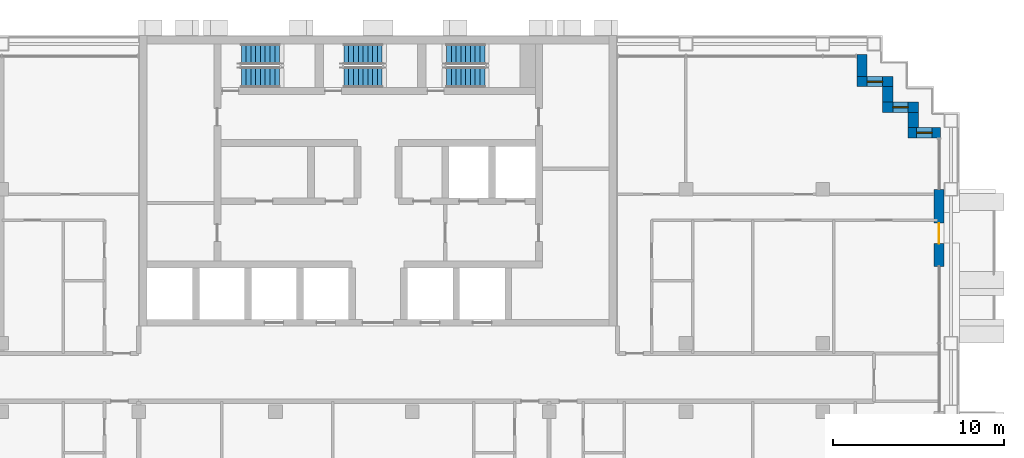
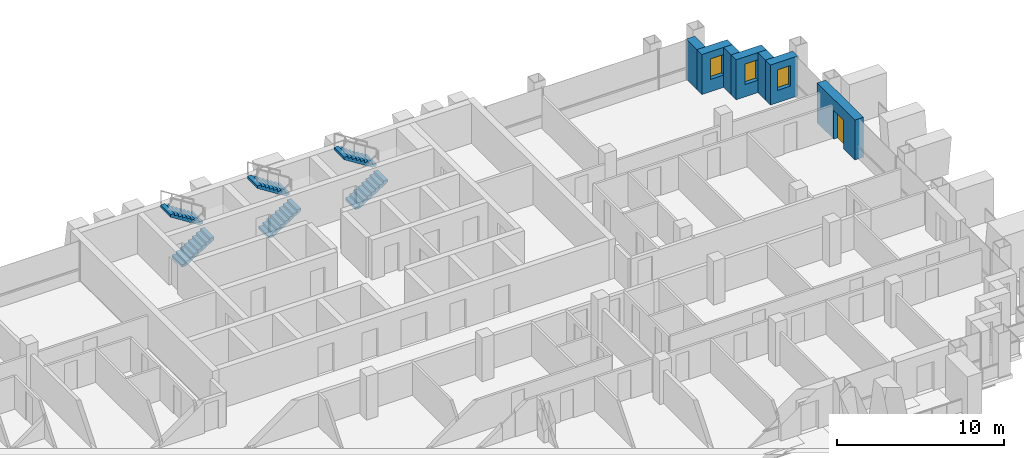
# One storey, part 12 of 18: 7 walls, 6 stair flights, 3 windows, 1 door, 4 openings, 3 elements without a shape of their own.
"""IFC4 building model written with IfcOpenShell, lengths in metres."""

from ifc_helpers import new_model, si_unit, direction, frame, frame_2d, origin, place, context, subcontext, project, spatial, polyline, rectangle, outline, extrude, material, layer, layer_set, type_object, element, fill, aggregate, save


model = new_model("IFC4")

# Units and contexts
model_context = context("Model", 3, precision=1e-05, world=origin(), true_north=direction((0.0, 1.0)))
body_context = subcontext(model_context, "Body", "Model", "MODEL_VIEW")
ifc_project = project(units=[si_unit("LENGTHUNIT", "METRE"), si_unit("AREAUNIT", "SQUARE_METRE"), si_unit("VOLUMEUNIT", "CUBIC_METRE"), si_unit("PLANEANGLEUNIT", "RADIAN"), si_unit("MASSUNIT", "GRAM", prefix="KILO")], contexts=[model_context])

# Site, building, storey
site_placement = place(None, origin())
site = spatial("IfcSite", under=ifc_project, at=site_placement, CompositionType="ELEMENT")
building_placement = place(site_placement, origin())
building = spatial("IfcBuilding", under=site, at=building_placement, Name="Vidyagriha Tower", CompositionType="ELEMENT")
storey_placement = place(building_placement, frame((0.0, 0.0, 142.199951171875)))
storey = spatial("IfcBuildingStorey", under=building, at=storey_placement, Name="L37", CompositionType="ELEMENT", Elevation=142.199951171875)

# Wall, opening, window
ifc_material_1 = material(Name="Precast concrete C40/50 with brick facing", Category="concrete")
ifc_layer = layer(ifc_material_1, 0.60009765625)
ifc_layer_set = layer_set([ifc_layer], Name="Precast concrete C40/50 with brick facing")
wall_type = type_object("IfcWallType", Name="Brick-faced precast wall 600", PredefinedType="STANDARD", material=ifc_layer_set)
wall_1_placement = place(storey_placement, frame((32.8798828125, 14.300048828125, 0.0), z_axis=(0.0, 0.0, 1.0), x_axis=(-1.0, 0.0, 0.0)))
wall_1 = element("IfcWall", 1, at=wall_1_placement, inside=storey, type_object=wall_type, Name="Stepped corner wall L37 R01", PredefinedType="STANDARD", context=body_context, shape_type="SweptSolid", body=[
    extrude(rectangle(XDim=1.8798828125, YDim=0.60009765625, at=frame_2d((0.93994140625, 0.0))), origin(), (0.0, 0.0, 1.0), 2.920166015625),
])
opening_1_placement = place(wall_1_placement, frame((0.489990234375, 0.0, 0.89990234375)))
opening_1 = element("IfcOpeningElement", 2, at=opening_1_placement, cuts=wall_1, Name="Opening WN1", PredefinedType="OPENING", context=body_context, shape_type="SweptSolid", body=[
    extrude(rectangle(XDim=0.89990234375, YDim=1.5, at=frame_2d((0.449951171875, 0.75))), frame((0.0, 0.31005859375, 0.0), z_axis=(0.0, -1.0, 0.0), x_axis=(1.0, 0.0, 0.0)), (0.0, 0.0, 1.0), 0.6201171875),
])
ifc_material_2 = material(Name="Aluminium and glass window", Category="aluminium")
window_type = type_object("IfcWindowType", Name="Reveal window 900x1500", PartitioningType="NOTDEFINED", PredefinedType="WINDOW", material=ifc_material_2)
window_1_placement = place(opening_1_placement, origin())
window_1 = element("IfcWindow", 3, at=window_1_placement, inside=storey, type_object=window_type, Name="Reveal window L37 R01", OverallHeight=1.5, OverallWidth=0.89990234375, PartitioningType="SINGLE_PANEL", PredefinedType="WINDOW", context=body_context, shape_type="SweptSolid", body=[
    extrude(rectangle(XDim=0.89990234375, YDim=1.5, at=frame_2d((0.449951171875, 0.75))), frame((0.0, 0.030029296875, 0.0), z_axis=(0.0, -1.0, 0.0), x_axis=(1.0, 0.0, 0.0)), (0.0, 0.0, 1.0), 0.06005859375),
])
fill(opening_1, window_1)

# Wall
wall_2_placement = place(storey_placement, frame((31.300048828125, 14.60009765625, 0.0), z_axis=(0.0, 0.0, 1.0), x_axis=(0.0, 1.0, 0.0)))
element("IfcWall", 4, at=wall_2_placement, inside=storey, type_object=wall_type, Name="Stepped corner wall L37 R02", PredefinedType="STANDARD", context=body_context, shape_type="SweptSolid", body=[
    extrude(rectangle(XDim=0.89990234375, YDim=0.60009765625, at=frame_2d((0.449951171875, 0.0))), origin(), (0.0, 0.0, 1.0), 2.920166015625),
])

# Wall, opening, window
wall_3_placement = place(storey_placement, frame((31.60009765625, 15.800048828125, 0.0), z_axis=(0.0, 0.0, 1.0), x_axis=(-1.0, 0.0, 0.0)))
wall_3 = element("IfcWall", 5, at=wall_3_placement, inside=storey, type_object=wall_type, Name="Stepped corner wall L37 R03", PredefinedType="STANDARD", context=body_context, shape_type="SweptSolid", body=[
    extrude(rectangle(XDim=2.10009765625, YDim=0.60009765625, at=frame_2d((1.050048828125, 0.0))), origin(), (0.0, 0.0, 1.0), 2.920166015625),
])
opening_2_placement = place(wall_3_placement, frame((0.60009765625, 0.0, 0.89990234375)))
opening_2 = element("IfcOpeningElement", 6, at=opening_2_placement, cuts=wall_3, Name="Opening WN1", PredefinedType="OPENING", context=body_context, shape_type="SweptSolid", body=[
    extrude(rectangle(XDim=0.89990234375, YDim=1.5, at=frame_2d((0.449951171875, 0.75))), frame((0.0, 0.31005859375, 0.0), z_axis=(0.0, -1.0, 0.0), x_axis=(1.0, 0.0, 0.0)), (0.0, 0.0, 1.0), 0.6201171875),
])
window_2_placement = place(opening_2_placement, origin())
window_2 = element("IfcWindow", 7, at=window_2_placement, inside=storey, type_object=window_type, Name="Reveal window L37 R03", OverallHeight=1.5, OverallWidth=0.89990234375, PartitioningType="SINGLE_PANEL", PredefinedType="WINDOW", context=body_context, shape_type="SweptSolid", body=[
    extrude(rectangle(XDim=0.89990234375, YDim=1.5, at=frame_2d((0.449951171875, 0.75))), frame((0.0, 0.030029296875, 0.0), z_axis=(0.0, -1.0, 0.0), x_axis=(1.0, 0.0, 0.0)), (0.0, 0.0, 1.0), 0.06005859375),
])
fill(opening_2, window_2)

# Wall
wall_4_placement = place(storey_placement, frame((29.800048828125, 16.10009765625, 0.0), z_axis=(0.0, 0.0, 1.0), x_axis=(0.0, 1.0, 0.0)))
element("IfcWall", 8, at=wall_4_placement, inside=storey, type_object=wall_type, Name="Stepped corner wall L37 R04", PredefinedType="STANDARD", context=body_context, shape_type="SweptSolid", body=[
    extrude(rectangle(XDim=0.89990234375, YDim=0.60009765625, at=frame_2d((0.449951171875, 0.0))), origin(), (0.0, 0.0, 1.0), 2.920166015625),
])

# Wall, opening, window
wall_5_placement = place(storey_placement, frame((30.10009765625, 17.300048828125, 0.0), z_axis=(0.0, 0.0, 1.0), x_axis=(-1.0, 0.0, 0.0)))
wall_5 = element("IfcWall", 9, at=wall_5_placement, inside=storey, type_object=wall_type, Name="Stepped corner wall L37 R05", PredefinedType="STANDARD", context=body_context, shape_type="SweptSolid", body=[
    extrude(rectangle(XDim=2.10009765625, YDim=0.60009765625, at=frame_2d((1.050048828125, 0.0))), origin(), (0.0, 0.0, 1.0), 2.920166015625),
])
opening_3_placement = place(wall_5_placement, frame((0.60009765625, 0.0, 0.89990234375)))
opening_3 = element("IfcOpeningElement", 10, at=opening_3_placement, cuts=wall_5, Name="Opening WN1", PredefinedType="OPENING", context=body_context, shape_type="SweptSolid", body=[
    extrude(rectangle(XDim=0.89990234375, YDim=1.5, at=frame_2d((0.449951171875, 0.75))), frame((0.0, 0.31005859375, 0.0), z_axis=(0.0, -1.0, 0.0), x_axis=(1.0, 0.0, 0.0)), (0.0, 0.0, 1.0), 0.6201171875),
])
window_3_placement = place(opening_3_placement, origin())
window_3 = element("IfcWindow", 11, at=window_3_placement, inside=storey, type_object=window_type, Name="Reveal window L37 R05", OverallHeight=1.5, OverallWidth=0.89990234375, PartitioningType="SINGLE_PANEL", PredefinedType="WINDOW", context=body_context, shape_type="SweptSolid", body=[
    extrude(rectangle(XDim=0.89990234375, YDim=1.5, at=frame_2d((0.449951171875, 0.75))), frame((0.0, 0.030029296875, 0.0), z_axis=(0.0, -1.0, 0.0), x_axis=(1.0, 0.0, 0.0)), (0.0, 0.0, 1.0), 0.06005859375),
])
fill(opening_3, window_3)

# Wall
wall_6_placement = place(storey_placement, frame((28.300048828125, 17.60009765625, 0.0), z_axis=(0.0, 0.0, 1.0), x_axis=(0.0, 1.0, 0.0)))
element("IfcWall", 12, at=wall_6_placement, inside=storey, type_object=wall_type, Name="Stepped corner wall L37 R06", PredefinedType="STANDARD", context=body_context, shape_type="SweptSolid", body=[
    extrude(rectangle(XDim=1.27978515625, YDim=0.60009765625, at=frame_2d((0.639892578125, 0.0))), origin(), (0.0, 0.0, 1.0), 2.920166015625),
])

# Wall, opening, door
wall_7_placement = place(storey_placement, frame((32.800048828125, 6.5, 0.0), z_axis=(0.0, 0.0, 1.0), x_axis=(0.0, 1.0, 0.0)))
wall_7 = element("IfcWall", 13, at=wall_7_placement, inside=storey, type_object=wall_type, Name="Brick door bay wall L37 R30.6", PredefinedType="STANDARD", context=body_context, shape_type="SweptSolid", body=[
    extrude(rectangle(XDim=4.5, YDim=0.60009765625, at=frame_2d((2.25, 0.0))), origin(), (0.0, 0.0, 1.0), 2.920166015625),
])
opening_4_placement = place(wall_7_placement, frame((1.324951171875, 0.0, 0.0)))
opening_4 = element("IfcOpeningElement", 14, at=opening_4_placement, cuts=wall_7, Name="Opening D37-76", PredefinedType="OPENING", context=body_context, shape_type="SweptSolid", body=[
    extrude(rectangle(XDim=1.199951171875, YDim=2.10009765625, at=frame_2d((0.60009765625, 1.050048828125))), frame((0.0, 0.31005859375, 0.0), z_axis=(0.0, -1.0, 0.0), x_axis=(1.0, 0.0, 0.0)), (0.0, 0.0, 1.0), 0.6201171875),
])
ifc_material_3 = material(Name="Aluminium framed glazed sliding door", Category="aluminium")
door_type = type_object("IfcDoorType", Name="Balcony sliding door 1200x2100", OperationType="NOTDEFINED", PredefinedType="DOOR", material=ifc_material_3)
door_placement = place(opening_4_placement, origin())
door = element("IfcDoor", 15, at=door_placement, inside=storey, type_object=door_type, Name="Door D37-76", OperationType="SLIDING_TO_LEFT", OverallHeight=2.10009765625, OverallWidth=1.199951171875, PredefinedType="DOOR", context=body_context, shape_type="SweptSolid", body=[
    extrude(rectangle(XDim=1.199951171875, YDim=2.10009765625, at=frame_2d((0.60009765625, 1.050048828125))), frame((0.0, 0.02490234375, 0.0), z_axis=(0.0, -1.0, 0.0), x_axis=(1.0, 0.0, 0.0)), (0.0, 0.0, 1.0), 0.050048828125),
])
fill(opening_4, door)

# Stair, stair flights
ifc_material_4 = material(Name="Concrete C40/50", Category="concrete")
stair_type = type_object("IfcStairType", Name="Exit stair, half-turn, precast flights", PredefinedType="HALF_TURN_STAIR", material=ifc_material_4)
stair_1_placement = place(storey_placement, origin())
stair_1 = element("IfcStair", 16, at=stair_1_placement, inside=storey, type_object=stair_type, Name="L37 Exit Stair ST1", PredefinedType="HALF_TURN_STAIR")
ifc_material_5 = material(Name="Precast concrete C40/50", Category="concrete")
stair_flight_type = type_object("IfcStairFlightType", Name="Exit stair flight 1200 mm, precast", PredefinedType="STRAIGHT", material=ifc_material_5)
stair_flight_1_placement = place(storey_placement, frame((-8.0, 17.550048828125, 0.0)))
stair_flight_1 = element("IfcStairFlight", 17, at=stair_flight_1_placement, type_object=stair_flight_type, Name="ST1 flight 1", NumberOfRisers=9, NumberOfTreads=8, PredefinedType="STRAIGHT", RiserHeight=0.177777778, TreadLength=0.28, context=body_context, shape_type="SweptSolid", body=[
    extrude(outline(polyline([(0.0, 0.0), (0.0, 0.177734375), (0.280029296875, 0.177734375), (0.280029296875, 0.35546875), (0.56005859375, 0.35546875), (0.56005859375, 0.533447265625), (0.840087890625, 0.533447265625), (0.840087890625, 0.711181640625), (1.1201171875, 0.711181640625), (1.1201171875, 0.888916015625), (1.39990234375, 0.888916015625), (1.39990234375, 1.066650390625), (1.679931640625, 1.066650390625), (1.679931640625, 1.244384765625), (1.9599609375, 1.244384765625), (1.9599609375, 1.422119140625), (2.239990234375, 1.422119140625), (2.239990234375, 1.60009765625), (2.239990234375, 1.24462890625), (0.27978515625, 0.0), (0.0, 0.0)])), frame((0.0, 0.60009765625, 0.0), z_axis=(0.0, -1.0, 0.0), x_axis=(1.0, 0.0, 0.0)), (0.0, 0.0, 1.0), 1.199951171875),
])
stair_flight_2_placement = place(storey_placement, frame((-5.760009765625, 18.89990234375, 1.60009765625), z_axis=(0.0, 0.0, 1.0), x_axis=(-1.0, 0.0, 0.0)))
stair_flight_2 = element("IfcStairFlight", 18, at=stair_flight_2_placement, type_object=stair_flight_type, Name="ST1 flight 2", NumberOfRisers=9, NumberOfTreads=8, PredefinedType="STRAIGHT", RiserHeight=0.177777778, TreadLength=0.28, context=body_context, shape_type="SweptSolid", body=[
    extrude(outline(polyline([(0.0, 0.0), (0.0, 0.177734375), (0.280029296875, 0.177734375), (0.280029296875, 0.35546875), (0.56005859375, 0.35546875), (0.56005859375, 0.533447265625), (0.840087890625, 0.533447265625), (0.840087890625, 0.711181640625), (1.1201171875, 0.711181640625), (1.1201171875, 0.888916015625), (1.39990234375, 0.888916015625), (1.39990234375, 1.066650390625), (1.679931640625, 1.066650390625), (1.679931640625, 1.244384765625), (1.9599609375, 1.244384765625), (1.9599609375, 1.422119140625), (2.239990234375, 1.422119140625), (2.239990234375, 1.60009765625), (2.239990234375, 1.24462890625), (0.27978515625, 0.0), (0.0, 0.0)])), frame((0.0, 0.60009765625, 0.0), z_axis=(0.0, -1.0, 0.0), x_axis=(1.0, 0.0, 0.0)), (0.0, 0.0, 1.0), 1.199951171875),
])
aggregate(stair_1, [stair_flight_1, stair_flight_2])

stair_2_placement = place(storey_placement, origin())
stair_2 = element("IfcStair", 19, at=stair_2_placement, inside=storey, type_object=stair_type, Name="L37 Exit Stair ST2", PredefinedType="HALF_TURN_STAIR")
stair_flight_3_placement = place(storey_placement, frame((-2.0, 17.550048828125, 0.0)))
stair_flight_3 = element("IfcStairFlight", 20, at=stair_flight_3_placement, type_object=stair_flight_type, Name="ST2 flight 1", NumberOfRisers=9, NumberOfTreads=8, PredefinedType="STRAIGHT", RiserHeight=0.177777778, TreadLength=0.28, context=body_context, shape_type="SweptSolid", body=[
    extrude(outline(polyline([(0.0, 0.0), (0.0, 0.177734375), (0.280029296875, 0.177734375), (0.280029296875, 0.35546875), (0.56005859375, 0.35546875), (0.56005859375, 0.533447265625), (0.840087890625, 0.533447265625), (0.840087890625, 0.711181640625), (1.1201171875, 0.711181640625), (1.1201171875, 0.888916015625), (1.39990234375, 0.888916015625), (1.39990234375, 1.066650390625), (1.679931640625, 1.066650390625), (1.679931640625, 1.244384765625), (1.9599609375, 1.244384765625), (1.9599609375, 1.422119140625), (2.239990234375, 1.422119140625), (2.239990234375, 1.60009765625), (2.239990234375, 1.24462890625), (0.27978515625, 0.0), (0.0, 0.0)])), frame((0.0, 0.60009765625, 0.0), z_axis=(0.0, -1.0, 0.0), x_axis=(1.0, 0.0, 0.0)), (0.0, 0.0, 1.0), 1.199951171875),
])
stair_flight_4_placement = place(storey_placement, frame((0.239990234375, 18.89990234375, 1.60009765625), z_axis=(0.0, 0.0, 1.0), x_axis=(-1.0, 0.0, 0.0)))
stair_flight_4 = element("IfcStairFlight", 21, at=stair_flight_4_placement, type_object=stair_flight_type, Name="ST2 flight 2", NumberOfRisers=9, NumberOfTreads=8, PredefinedType="STRAIGHT", RiserHeight=0.177777778, TreadLength=0.28, context=body_context, shape_type="SweptSolid", body=[
    extrude(outline(polyline([(0.0, 0.0), (0.0, 0.177734375), (0.280029296875, 0.177734375), (0.280029296875, 0.35546875), (0.56005859375, 0.35546875), (0.56005859375, 0.533447265625), (0.840087890625, 0.533447265625), (0.840087890625, 0.711181640625), (1.1201171875, 0.711181640625), (1.1201171875, 0.888916015625), (1.39990234375, 0.888916015625), (1.39990234375, 1.066650390625), (1.679931640625, 1.066650390625), (1.679931640625, 1.244384765625), (1.9599609375, 1.244384765625), (1.9599609375, 1.422119140625), (2.239990234375, 1.422119140625), (2.239990234375, 1.60009765625), (2.239990234375, 1.24462890625), (0.27978515625, 0.0), (0.0, 0.0)])), frame((0.0, 0.60009765625, 0.0), z_axis=(0.0, -1.0, 0.0), x_axis=(1.0, 0.0, 0.0)), (0.0, 0.0, 1.0), 1.199951171875),
])
aggregate(stair_2, [stair_flight_3, stair_flight_4])

stair_3_placement = place(storey_placement, origin())
stair_3 = element("IfcStair", 22, at=stair_3_placement, inside=storey, type_object=stair_type, Name="L37 Exit Stair ST3", PredefinedType="HALF_TURN_STAIR")
stair_flight_5_placement = place(storey_placement, frame((4.0, 17.550048828125, 0.0)))
stair_flight_5 = element("IfcStairFlight", 23, at=stair_flight_5_placement, type_object=stair_flight_type, Name="ST3 flight 1", NumberOfRisers=9, NumberOfTreads=8, PredefinedType="STRAIGHT", RiserHeight=0.177777778, TreadLength=0.28, context=body_context, shape_type="SweptSolid", body=[
    extrude(outline(polyline([(0.0, 0.0), (0.0, 0.177734375), (0.280029296875, 0.177734375), (0.280029296875, 0.35546875), (0.56005859375, 0.35546875), (0.56005859375, 0.533447265625), (0.840087890625, 0.533447265625), (0.840087890625, 0.711181640625), (1.1201171875, 0.711181640625), (1.1201171875, 0.888916015625), (1.39990234375, 0.888916015625), (1.39990234375, 1.066650390625), (1.679931640625, 1.066650390625), (1.679931640625, 1.244384765625), (1.9599609375, 1.244384765625), (1.9599609375, 1.422119140625), (2.239990234375, 1.422119140625), (2.239990234375, 1.60009765625), (2.239990234375, 1.24462890625), (0.27978515625, 0.0), (0.0, 0.0)])), frame((0.0, 0.60009765625, 0.0), z_axis=(0.0, -1.0, 0.0), x_axis=(1.0, 0.0, 0.0)), (0.0, 0.0, 1.0), 1.199951171875),
])
stair_flight_6_placement = place(storey_placement, frame((6.239990234375, 18.89990234375, 1.60009765625), z_axis=(0.0, 0.0, 1.0), x_axis=(-1.0, 0.0, 0.0)))
stair_flight_6 = element("IfcStairFlight", 24, at=stair_flight_6_placement, type_object=stair_flight_type, Name="ST3 flight 2", NumberOfRisers=9, NumberOfTreads=8, PredefinedType="STRAIGHT", RiserHeight=0.177777778, TreadLength=0.28, context=body_context, shape_type="SweptSolid", body=[
    extrude(outline(polyline([(0.0, 0.0), (0.0, 0.177734375), (0.280029296875, 0.177734375), (0.280029296875, 0.35546875), (0.56005859375, 0.35546875), (0.56005859375, 0.533447265625), (0.840087890625, 0.533447265625), (0.840087890625, 0.711181640625), (1.1201171875, 0.711181640625), (1.1201171875, 0.888916015625), (1.39990234375, 0.888916015625), (1.39990234375, 1.066650390625), (1.679931640625, 1.066650390625), (1.679931640625, 1.244384765625), (1.9599609375, 1.244384765625), (1.9599609375, 1.422119140625), (2.239990234375, 1.422119140625), (2.239990234375, 1.60009765625), (2.239990234375, 1.24462890625), (0.27978515625, 0.0), (0.0, 0.0)])), frame((0.0, 0.60009765625, 0.0), z_axis=(0.0, -1.0, 0.0), x_axis=(1.0, 0.0, 0.0)), (0.0, 0.0, 1.0), 1.199951171875),
])
aggregate(stair_3, [stair_flight_5, stair_flight_6])

save(model, "model.ifc")
